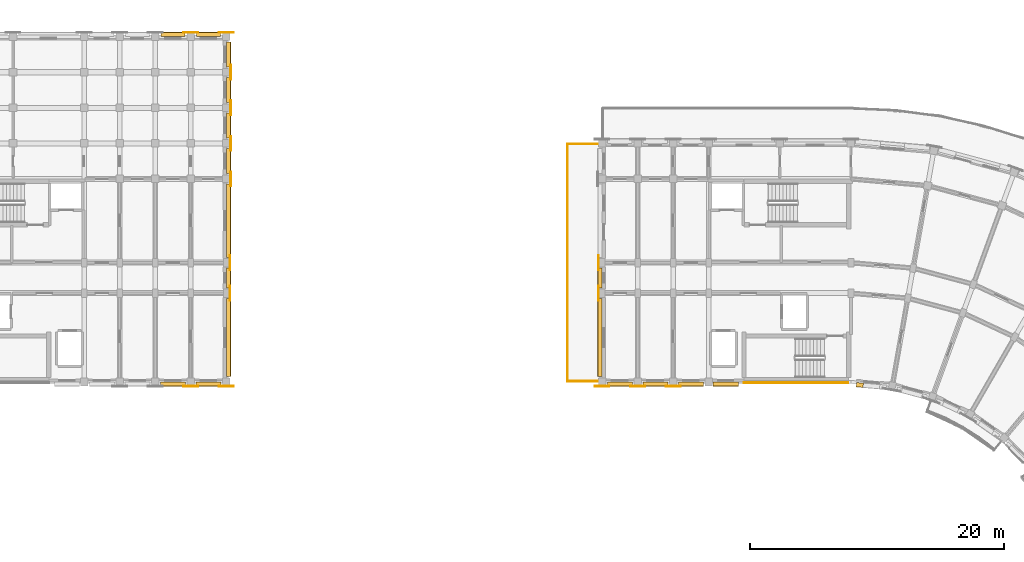
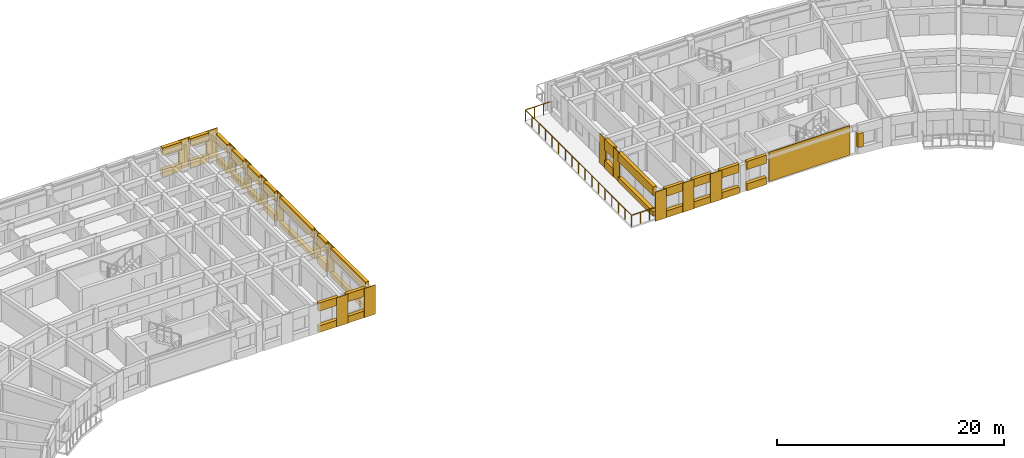
# One storey, part 31 of 36: 51 coverings, 1 railing.
"""IFC4 building model written with IfcOpenShell, lengths in metres."""

from ifc_helpers import new_model, si_unit, direction, frame, origin, origin_2d, place, context, subcontext, project, spatial, polyline, circle, outline, extrude, material, layer, layer_set, type_object, element, save


model = new_model("IFC4")

# Units and contexts
model_context = context("Model", 3, precision=1e-05, world=origin(), true_north=direction((0.0, 1.0)))
body_context = subcontext(model_context, "Body", "Model", "MODEL_VIEW")
ifc_project = project(units=[si_unit("LENGTHUNIT", "METRE"), si_unit("AREAUNIT", "SQUARE_METRE"), si_unit("VOLUMEUNIT", "CUBIC_METRE"), si_unit("PLANEANGLEUNIT", "RADIAN"), si_unit("MASSUNIT", "GRAM", prefix="KILO")], contexts=[model_context])

# Site, building, storey
site_placement = place(None, origin())
site = spatial("IfcSite", under=ifc_project, at=site_placement, CompositionType="ELEMENT")
building_placement = place(site_placement, origin())
building = spatial("IfcBuilding", under=site, at=building_placement, Name="Kiranvali Square Residences", CompositionType="ELEMENT")
storey_placement = place(building_placement, frame((0.0, 0.0, 37.050048828125)))
storey = spatial("IfcBuildingStorey", under=building, at=storey_placement, Name="L11", CompositionType="ELEMENT", Elevation=37.050048828125)

# Coverings
ifc_material_1 = material(Name="Honed Porbandar limestone ashlar facade cladding", Category="masonry")
ifc_layer_1 = layer(ifc_material_1, 0.3798828125)
ifc_layer_set_1 = layer_set([ifc_layer_1], Name="Honed Porbandar limestone ashlar facade cladding")
covering_type_1 = type_object("IfcCoveringType", Name="COV-CLAD-JAMB", PredefinedType="CLADDING", material=ifc_layer_set_1)
covering_1_placement = place(storey_placement, frame((0.0, 0.0, 0.721923828125)))
element("IfcCovering", 1, at=covering_1_placement, inside=storey, type_object=covering_type_1, Name="L11 deep limestone window jamb reveal B-L11-GDN-00.L", PredefinedType="CLADDING", context=body_context, shape_type="SweptSolid", body=[
    extrude(outline(polyline([(120.208740234375, 106.222900390625), (120.755126953125, 106.175048828125), (120.78466796875, 106.513427734375), (120.23828125, 106.56103515625), (120.208740234375, 106.222900390625)])), origin(), (0.0, 0.0, 1.0), 1.5),
])
ifc_layer_2 = layer(ifc_material_1, 0.06494140625)
ifc_layer_set_2 = layer_set([ifc_layer_2], Name="Honed Porbandar limestone ashlar facade cladding")
covering_type_2 = type_object("IfcCoveringType", Name="COV-CLAD-PIER", PredefinedType="CLADDING", material=ifc_layer_set_2)
covering_2_placement = place(storey_placement, frame((0.0, 0.0, 0.0048828125)))
element("IfcCovering", 2, at=covering_2_placement, inside=storey, type_object=covering_type_2, Name="Block B L11 garden stair limestone ashlar cladding", PredefinedType="CLADDING", context=body_context, shape_type="SweptSolid", body=[
    extrude(outline(polyline([(119.60009765625, 106.597900390625), (111.35009765625, 106.597900390625), (111.35009765625, 106.52001953125), (119.60009765625, 106.52001953125), (119.60009765625, 106.597900390625)])), origin(), (0.0, 0.0, 1.0), 3.14013671875),
])
ifc_layer_3 = layer(ifc_material_1, 0.050048828125)
ifc_layer_set_3 = layer_set([ifc_layer_3], Name="Honed Porbandar limestone ashlar facade cladding")
covering_type_3 = type_object("IfcCoveringType", Name="COV-CLAD-PIER-IN", PredefinedType="CLADDING", material=ifc_layer_set_3)
covering_3_placement = place(storey_placement, frame((0.0, 0.0, 0.0048828125)))
element("IfcCovering", 3, at=covering_3_placement, inside=storey, type_object=covering_type_3, Name="L11 Classical limestone pilaster casing CLAD-PRA1I-A-L11-U195", PredefinedType="CLADDING", context=body_context, shape_type="SweptSolid", body=[
    extrude(outline(polyline([(67.219970703125, 106.23193359375), (68.3798828125, 106.23193359375), (68.3798828125, 106.299560546875), (67.219970703125, 106.299560546875), (67.219970703125, 106.23193359375)])), origin(), (0.0, 0.0, 1.0), 3.14013671875),
])
covering_4_placement = place(storey_placement, frame((0.0, 0.0, 0.0048828125)))
element("IfcCovering", 4, at=covering_4_placement, inside=storey, type_object=covering_type_3, Name="L11 Classical limestone pilaster casing CLAD-PRA1I-A-L11-U224", PredefinedType="CLADDING", context=body_context, shape_type="SweptSolid", body=[
    extrude(outline(polyline([(70.02001953125, 106.23193359375), (71.179931640625, 106.23193359375), (71.179931640625, 106.299560546875), (70.02001953125, 106.299560546875), (70.02001953125, 106.23193359375)])), origin(), (0.0, 0.0, 1.0), 3.14013671875),
])
covering_5_placement = place(storey_placement, frame((0.0, 0.0, 0.0048828125)))
element("IfcCovering", 5, at=covering_5_placement, inside=storey, type_object=covering_type_3, Name="L11 Classical limestone pilaster casing CLAD-PRA1I-B-L11-U140", PredefinedType="CLADDING", context=body_context, shape_type="SweptSolid", body=[
    extrude(outline(polyline([(106.3798828125, 106.299560546875), (105.219970703125, 106.299560546875), (105.219970703125, 106.23193359375), (106.3798828125, 106.23193359375), (106.3798828125, 106.299560546875)])), origin(), (0.0, 0.0, 1.0), 3.14013671875),
])
covering_6_placement = place(storey_placement, frame((0.0, 0.0, 0.0048828125)))
element("IfcCovering", 6, at=covering_6_placement, inside=storey, type_object=covering_type_3, Name="L11 Classical limestone pilaster casing CLAD-PRA1I-B-L11-U167", PredefinedType="CLADDING", context=body_context, shape_type="SweptSolid", body=[
    extrude(outline(polyline([(103.580078125, 106.299560546875), (102.419921875, 106.299560546875), (102.419921875, 106.23193359375), (103.580078125, 106.23193359375), (103.580078125, 106.299560546875)])), origin(), (0.0, 0.0, 1.0), 3.14013671875),
])
covering_7_placement = place(storey_placement, frame((0.0, 0.0, 0.0048828125)))
element("IfcCovering", 7, at=covering_7_placement, inside=storey, type_object=covering_type_3, Name="L11 Classical limestone pilaster casing CLAD-PRA1I-B-L11-U195", PredefinedType="CLADDING", context=body_context, shape_type="SweptSolid", body=[
    extrude(outline(polyline([(100.780029296875, 106.299560546875), (99.6201171875, 106.299560546875), (99.6201171875, 106.23193359375), (100.780029296875, 106.23193359375), (100.780029296875, 106.299560546875)])), origin(), (0.0, 0.0, 1.0), 3.14013671875),
])
ifc_layer_4 = layer(ifc_material_1, 0.054931640625)
ifc_layer_set_4 = layer_set([ifc_layer_4], Name="Honed Porbandar limestone ashlar facade cladding")
covering_type_4 = type_object("IfcCoveringType", Name="COV-CLAD-PIER-UP", PredefinedType="CLADDING", material=ifc_layer_set_4)
covering_8_placement = place(storey_placement, frame((0.0, 0.0, 0.0048828125)))
element("IfcCovering", 8, at=covering_8_placement, inside=storey, type_object=covering_type_4, Name="L11 Classical limestone pilaster casing CLAD-PR-A-L11-U195", PredefinedType="CLADDING", context=body_context, shape_type="SweptSolid", body=[
    extrude(outline(polyline([(67.219970703125, 134.1005859375), (68.3798828125, 134.1005859375), (68.3798828125, 134.16796875), (67.219970703125, 134.16796875), (67.219970703125, 134.1005859375)])), origin(), (0.0, 0.0, 1.0), 3.14013671875),
])
covering_9_placement = place(storey_placement, frame((0.0, 0.0, 0.0048828125)))
element("IfcCovering", 9, at=covering_9_placement, inside=storey, type_object=covering_type_4, Name="L11 Classical limestone pilaster casing CLAD-PR-A-L11-U224", PredefinedType="CLADDING", context=body_context, shape_type="SweptSolid", body=[
    extrude(outline(polyline([(70.02001953125, 134.1005859375), (71.179931640625, 134.1005859375), (71.179931640625, 134.16796875), (70.02001953125, 134.16796875), (70.02001953125, 134.1005859375)])), origin(), (0.0, 0.0, 1.0), 3.14013671875),
])
covering_10_placement = place(storey_placement, frame((0.0, 0.0, 0.0048828125)))
element("IfcCovering", 10, at=covering_10_placement, inside=storey, type_object=covering_type_4, Name="L11 Classical limestone pilaster casing CLAD-PRA1E-A-L11-R258", PredefinedType="CLADDING", context=body_context, shape_type="SweptSolid", body=[
    extrude(outline(polyline([(70.91796875, 113.02001953125), (70.91796875, 114.179931640625), (70.8505859375, 114.179931640625), (70.8505859375, 113.02001953125), (70.91796875, 113.02001953125)])), origin(), (0.0, 0.0, 1.0), 3.14013671875),
])
covering_11_placement = place(storey_placement, frame((0.0, 0.0, 0.0048828125)))
element("IfcCovering", 11, at=covering_11_placement, inside=storey, type_object=covering_type_4, Name="L11 Classical limestone pilaster casing CLAD-PRA1E-A-L11-R282", PredefinedType="CLADDING", context=body_context, shape_type="SweptSolid", body=[
    extrude(outline(polyline([(70.91796875, 115.419921875), (70.91796875, 116.580078125), (70.8505859375, 116.580078125), (70.8505859375, 115.419921875), (70.91796875, 115.419921875)])), origin(), (0.0, 0.0, 1.0), 3.14013671875),
])
covering_12_placement = place(storey_placement, frame((0.0, 0.0, 0.0048828125)))
element("IfcCovering", 12, at=covering_12_placement, inside=storey, type_object=covering_type_4, Name="L11 Classical limestone pilaster casing CLAD-PRA1E-A-L11-R348", PredefinedType="CLADDING", context=body_context, shape_type="SweptSolid", body=[
    extrude(outline(polyline([(70.968017578125, 122.02001953125), (70.968017578125, 123.179931640625), (70.900390625, 123.179931640625), (70.900390625, 122.02001953125), (70.968017578125, 122.02001953125)])), origin(), (0.0, 0.0, 1.0), 3.14013671875),
])
covering_13_placement = place(storey_placement, frame((0.0, 0.0, 0.0048828125)))
element("IfcCovering", 13, at=covering_13_placement, inside=storey, type_object=covering_type_4, Name="L11 Classical limestone pilaster casing CLAD-PRA1E-A-L11-R376", PredefinedType="CLADDING", context=body_context, shape_type="SweptSolid", body=[
    extrude(outline(polyline([(70.968017578125, 124.820068359375), (70.968017578125, 125.97998046875), (70.900390625, 125.97998046875), (70.900390625, 124.820068359375), (70.968017578125, 124.820068359375)])), origin(), (0.0, 0.0, 1.0), 3.14013671875),
])
covering_14_placement = place(storey_placement, frame((0.0, 0.0, 0.0048828125)))
element("IfcCovering", 14, at=covering_14_placement, inside=storey, type_object=covering_type_4, Name="L11 Classical limestone pilaster casing CLAD-PRA1E-A-L11-R404", PredefinedType="CLADDING", context=body_context, shape_type="SweptSolid", body=[
    extrude(outline(polyline([(70.968017578125, 127.6201171875), (70.968017578125, 128.780029296875), (70.900390625, 128.780029296875), (70.900390625, 127.6201171875), (70.968017578125, 127.6201171875)])), origin(), (0.0, 0.0, 1.0), 3.14013671875),
])
covering_15_placement = place(storey_placement, frame((0.0, 0.0, 0.0048828125)))
element("IfcCovering", 15, at=covering_15_placement, inside=storey, type_object=covering_type_4, Name="L11 Classical limestone pilaster casing CLAD-PRA1E-A-L11-R432", PredefinedType="CLADDING", context=body_context, shape_type="SweptSolid", body=[
    extrude(outline(polyline([(70.968017578125, 130.419921875), (70.968017578125, 131.580078125), (70.900390625, 131.580078125), (70.900390625, 130.419921875), (70.968017578125, 130.419921875)])), origin(), (0.0, 0.0, 1.0), 3.14013671875),
])
covering_16_placement = place(storey_placement, frame((0.0, 0.0, 0.0048828125)))
element("IfcCovering", 16, at=covering_16_placement, inside=storey, type_object=covering_type_4, Name="L11 Classical limestone pilaster casing CLAD-PRA1E-B-L11-R258", PredefinedType="CLADDING", context=body_context, shape_type="SweptSolid", body=[
    extrude(outline(polyline([(99.949462890625, 113.02001953125), (99.949462890625, 114.179931640625), (99.882080078125, 114.179931640625), (99.882080078125, 113.02001953125), (99.949462890625, 113.02001953125)])), origin(), (0.0, 0.0, 1.0), 3.14013671875),
])
covering_17_placement = place(storey_placement, frame((0.0, 0.0, 0.0048828125)))
element("IfcCovering", 17, at=covering_17_placement, inside=storey, type_object=covering_type_4, Name="L11 Classical limestone pilaster casing CLAD-PRA1E-B-L11-R282", PredefinedType="CLADDING", context=body_context, shape_type="SweptSolid", body=[
    extrude(outline(polyline([(99.949462890625, 115.419921875), (99.949462890625, 116.580078125), (99.882080078125, 116.580078125), (99.882080078125, 115.419921875), (99.949462890625, 115.419921875)])), origin(), (0.0, 0.0, 1.0), 3.14013671875),
])
ifc_layer_5 = layer(ifc_material_1, 0.360107421875)
ifc_layer_set_5 = layer_set([ifc_layer_5], Name="Honed Porbandar limestone ashlar facade cladding")
covering_type_5 = type_object("IfcCoveringType", Name="COV-CLAD-WALL", PredefinedType="CLADDING", material=ifc_layer_set_5)
covering_18_placement = place(storey_placement, frame((0.0, 0.0, 2.280029296875)))
element("IfcCovering", 18, at=covering_18_placement, inside=storey, type_object=covering_type_5, Name="L11 light limestone spandrel lintel A-L11-A1O-4", PredefinedType="CLADDING", context=body_context, shape_type="SweptSolid", body=[
    extrude(outline(polyline([(65.43994140625, 133.800537109375), (67.360107421875, 133.800537109375), (67.360107421875, 134.14990234375), (65.43994140625, 134.14990234375), (65.43994140625, 133.800537109375)])), origin(), (0.0, 0.0, 1.0), 0.864990234375),
])
covering_19_placement = place(storey_placement, frame((0.0, 0.0, 2.280029296875)))
element("IfcCovering", 19, at=covering_19_placement, inside=storey, type_object=covering_type_5, Name="L11 light limestone spandrel lintel A-L11-A1O-5", PredefinedType="CLADDING", context=body_context, shape_type="SweptSolid", body=[
    extrude(outline(polyline([(68.239990234375, 133.800537109375), (70.159912109375, 133.800537109375), (70.159912109375, 134.14990234375), (68.239990234375, 134.14990234375), (68.239990234375, 133.800537109375)])), origin(), (0.0, 0.0, 1.0), 0.864990234375),
])
covering_20_placement = place(storey_placement, frame((0.0, 0.0, 2.27197265625)))
element("IfcCovering", 20, at=covering_20_placement, inside=storey, type_object=covering_type_5, Name="L11 light limestone spandrel lintel A-L11-A1I-2", PredefinedType="CLADDING", context=body_context, shape_type="SweptSolid", body=[
    extrude(outline(polyline([(65.419921875, 106.280029296875), (67.3798828125, 106.280029296875), (67.3798828125, 106.599609375), (65.419921875, 106.599609375), (65.419921875, 106.280029296875)])), origin(), (0.0, 0.0, 1.0), 0.873046875),
])
covering_21_placement = place(storey_placement, frame((0.0, 0.0, 2.27197265625)))
element("IfcCovering", 21, at=covering_21_placement, inside=storey, type_object=covering_type_5, Name="L11 light limestone spandrel lintel A-L11-A1I-3", PredefinedType="CLADDING", context=body_context, shape_type="SweptSolid", body=[
    extrude(outline(polyline([(68.219970703125, 106.280029296875), (70.179931640625, 106.280029296875), (70.179931640625, 106.599609375), (68.219970703125, 106.599609375), (68.219970703125, 106.280029296875)])), origin(), (0.0, 0.0, 1.0), 0.873046875),
])
covering_22_placement = place(storey_placement, frame((0.0, 0.0, 2.171875)))
element("IfcCovering", 22, at=covering_22_placement, inside=storey, type_object=covering_type_5, Name="L11 light limestone spandrel lintel A-L11-A1END-0", PredefinedType="CLADDING", context=body_context, shape_type="SweptSolid", body=[
    extrude(outline(polyline([(70.93994140625, 107.02001953125), (70.93994140625, 113.179931640625), (70.6005859375, 113.179931640625), (70.6005859375, 107.02001953125), (70.93994140625, 107.02001953125)])), origin(), (0.0, 0.0, 1.0), 0.97314453125),
])
covering_23_placement = place(storey_placement, frame((0.0, 0.0, 1.929931640625)))
element("IfcCovering", 23, at=covering_23_placement, inside=storey, type_object=covering_type_5, Name="L11 light limestone spandrel lintel A-L11-A1END-1", PredefinedType="CLADDING", context=body_context, shape_type="SweptSolid", body=[
    extrude(outline(polyline([(70.93994140625, 114.02001953125), (70.93994140625, 115.580078125), (70.6005859375, 115.580078125), (70.6005859375, 114.02001953125), (70.93994140625, 114.02001953125)])), origin(), (0.0, 0.0, 1.0), 1.215087890625),
])
covering_24_placement = place(storey_placement, frame((0.0, 0.0, 2.171875)))
element("IfcCovering", 24, at=covering_24_placement, inside=storey, type_object=covering_type_5, Name="L11 light limestone spandrel lintel A-L11-A1END-2", PredefinedType="CLADDING", context=body_context, shape_type="SweptSolid", body=[
    extrude(outline(polyline([(70.93994140625, 116.419921875), (70.93994140625, 122.179931640625), (70.6005859375, 122.179931640625), (70.6005859375, 116.419921875), (70.93994140625, 116.419921875)])), origin(), (0.0, 0.0, 1.0), 0.97314453125),
])
covering_25_placement = place(storey_placement, frame((0.0, 0.0, 2.171875)))
element("IfcCovering", 25, at=covering_25_placement, inside=storey, type_object=covering_type_5, Name="L11 light limestone spandrel lintel A-L11-A1END-3", PredefinedType="CLADDING", context=body_context, shape_type="SweptSolid", body=[
    extrude(outline(polyline([(70.93994140625, 123.02001953125), (70.93994140625, 124.97998046875), (70.6005859375, 124.97998046875), (70.6005859375, 123.02001953125), (70.93994140625, 123.02001953125)])), origin(), (0.0, 0.0, 1.0), 0.97314453125),
])
covering_26_placement = place(storey_placement, frame((0.0, 0.0, 2.171875)))
element("IfcCovering", 26, at=covering_26_placement, inside=storey, type_object=covering_type_5, Name="L11 light limestone spandrel lintel A-L11-A1END-4", PredefinedType="CLADDING", context=body_context, shape_type="SweptSolid", body=[
    extrude(outline(polyline([(70.93994140625, 125.820068359375), (70.93994140625, 127.780029296875), (70.6005859375, 127.780029296875), (70.6005859375, 125.820068359375), (70.93994140625, 125.820068359375)])), origin(), (0.0, 0.0, 1.0), 0.97314453125),
])
covering_27_placement = place(storey_placement, frame((0.0, 0.0, 2.171875)))
element("IfcCovering", 27, at=covering_27_placement, inside=storey, type_object=covering_type_5, Name="L11 light limestone spandrel lintel A-L11-A1END-5", PredefinedType="CLADDING", context=body_context, shape_type="SweptSolid", body=[
    extrude(outline(polyline([(70.93994140625, 128.6201171875), (70.93994140625, 130.580078125), (70.6005859375, 130.580078125), (70.6005859375, 128.6201171875), (70.93994140625, 128.6201171875)])), origin(), (0.0, 0.0, 1.0), 0.97314453125),
])
covering_28_placement = place(storey_placement, frame((0.0, 0.0, 2.2119140625)))
element("IfcCovering", 28, at=covering_28_placement, inside=storey, type_object=covering_type_5, Name="L11 light limestone spandrel lintel A-L11-A1END-6", PredefinedType="CLADDING", context=body_context, shape_type="SweptSolid", body=[
    extrude(outline(polyline([(70.93994140625, 131.419921875), (70.93994140625, 133.3798828125), (70.6005859375, 133.3798828125), (70.6005859375, 131.419921875), (70.93994140625, 131.419921875)])), origin(), (0.0, 0.0, 1.0), 0.93310546875),
])
covering_29_placement = place(storey_placement, frame((0.0, 0.0, 2.27197265625)))
element("IfcCovering", 29, at=covering_29_placement, inside=storey, type_object=covering_type_5, Name="L11 light limestone spandrel lintel B-L11-A1IN-0", PredefinedType="CLADDING", context=body_context, shape_type="SweptSolid", body=[
    extrude(outline(polyline([(110.949951171875, 106.599609375), (108.949951171875, 106.599609375), (108.949951171875, 106.280029296875), (110.949951171875, 106.280029296875), (110.949951171875, 106.599609375)])), origin(), (0.0, 0.0, 1.0), 0.873046875),
])
covering_30_placement = place(storey_placement, frame((0.0, 0.0, 2.27197265625)))
element("IfcCovering", 30, at=covering_30_placement, inside=storey, type_object=covering_type_5, Name="L11 light limestone spandrel lintel B-L11-A1I-0", PredefinedType="CLADDING", context=body_context, shape_type="SweptSolid", body=[
    extrude(outline(polyline([(108.179931640625, 106.599609375), (106.219970703125, 106.599609375), (106.219970703125, 106.280029296875), (108.179931640625, 106.280029296875), (108.179931640625, 106.599609375)])), origin(), (0.0, 0.0, 1.0), 0.873046875),
])
covering_31_placement = place(storey_placement, frame((0.0, 0.0, 2.27197265625)))
element("IfcCovering", 31, at=covering_31_placement, inside=storey, type_object=covering_type_5, Name="L11 light limestone spandrel lintel B-L11-A1I-1", PredefinedType="CLADDING", context=body_context, shape_type="SweptSolid", body=[
    extrude(outline(polyline([(105.3798828125, 106.599609375), (103.419921875, 106.599609375), (103.419921875, 106.280029296875), (105.3798828125, 106.280029296875), (105.3798828125, 106.599609375)])), origin(), (0.0, 0.0, 1.0), 0.873046875),
])
covering_32_placement = place(storey_placement, frame((0.0, 0.0, 2.27197265625)))
element("IfcCovering", 32, at=covering_32_placement, inside=storey, type_object=covering_type_5, Name="L11 light limestone spandrel lintel B-L11-A1I-2", PredefinedType="CLADDING", context=body_context, shape_type="SweptSolid", body=[
    extrude(outline(polyline([(102.580078125, 106.599609375), (100.6201171875, 106.599609375), (100.6201171875, 106.280029296875), (102.580078125, 106.280029296875), (102.580078125, 106.599609375)])), origin(), (0.0, 0.0, 1.0), 0.873046875),
])
covering_33_placement = place(storey_placement, frame((0.0, 0.0, 2.171875)))
element("IfcCovering", 33, at=covering_33_placement, inside=storey, type_object=covering_type_5, Name="L11 light limestone spandrel lintel B-L11-A1END-0", PredefinedType="CLADDING", context=body_context, shape_type="SweptSolid", body=[
    extrude(outline(polyline([(100.199462890625, 107.02001953125), (100.199462890625, 113.179931640625), (99.860107421875, 113.179931640625), (99.860107421875, 107.02001953125), (100.199462890625, 107.02001953125)])), origin(), (0.0, 0.0, 1.0), 0.97314453125),
])
covering_34_placement = place(storey_placement, frame((0.0, 0.0, 1.929931640625)))
element("IfcCovering", 34, at=covering_34_placement, inside=storey, type_object=covering_type_5, Name="L11 light limestone spandrel lintel B-L11-A1END-1", PredefinedType="CLADDING", context=body_context, shape_type="SweptSolid", body=[
    extrude(outline(polyline([(100.199462890625, 114.02001953125), (100.199462890625, 115.580078125), (99.860107421875, 115.580078125), (99.860107421875, 114.02001953125), (100.199462890625, 114.02001953125)])), origin(), (0.0, 0.0, 1.0), 1.215087890625),
])
ifc_layer_6 = layer(ifc_material_1, 0.320068359375)
ifc_layer_set_6 = layer_set([ifc_layer_6], Name="Honed Porbandar limestone ashlar facade cladding")
covering_type_6 = type_object("IfcCoveringType", Name="COV-CLAD-WALL-UP", PredefinedType="CLADDING", material=ifc_layer_set_6)
covering_35_placement = place(storey_placement, frame((0.0, 0.0, 0.0048828125)))
element("IfcCovering", 35, at=covering_35_placement, inside=storey, type_object=covering_type_6, Name="L11 limestone window sill apron A-L11-A1O-4", PredefinedType="CLADDING", context=body_context, shape_type="SweptSolid", body=[
    extrude(outline(polyline([(65.43994140625, 133.800537109375), (67.360107421875, 133.800537109375), (67.360107421875, 134.179931640625), (65.43994140625, 134.179931640625), (65.43994140625, 133.800537109375)])), origin(), (0.0, 0.0, 1.0), 0.775146484375),
])
covering_36_placement = place(storey_placement, frame((0.0, 0.0, 0.0048828125)))
element("IfcCovering", 36, at=covering_36_placement, inside=storey, type_object=covering_type_6, Name="L11 limestone window sill apron A-L11-A1O-5", PredefinedType="CLADDING", context=body_context, shape_type="SweptSolid", body=[
    extrude(outline(polyline([(68.239990234375, 133.800537109375), (70.159912109375, 133.800537109375), (70.159912109375, 134.179931640625), (68.239990234375, 134.179931640625), (68.239990234375, 133.800537109375)])), origin(), (0.0, 0.0, 1.0), 0.775146484375),
])
covering_37_placement = place(storey_placement, frame((0.0, 0.0, 0.0048828125)))
element("IfcCovering", 37, at=covering_37_placement, inside=storey, type_object=covering_type_6, Name="L11 limestone window sill apron A-L11-A1I-2", PredefinedType="CLADDING", context=body_context, shape_type="SweptSolid", body=[
    extrude(outline(polyline([(65.419921875, 106.25), (67.3798828125, 106.25), (67.3798828125, 106.599609375), (65.419921875, 106.599609375), (65.419921875, 106.25)])), origin(), (0.0, 0.0, 1.0), 0.717041015625),
])
covering_38_placement = place(storey_placement, frame((0.0, 0.0, 0.0048828125)))
element("IfcCovering", 38, at=covering_38_placement, inside=storey, type_object=covering_type_6, Name="L11 limestone window sill apron A-L11-A1I-3", PredefinedType="CLADDING", context=body_context, shape_type="SweptSolid", body=[
    extrude(outline(polyline([(68.219970703125, 106.25), (70.179931640625, 106.25), (70.179931640625, 106.599609375), (68.219970703125, 106.599609375), (68.219970703125, 106.25)])), origin(), (0.0, 0.0, 1.0), 0.717041015625),
])
covering_39_placement = place(storey_placement, frame((0.0, 0.0, 0.0048828125)))
element("IfcCovering", 39, at=covering_39_placement, inside=storey, type_object=covering_type_6, Name="L11 limestone window sill apron A-L11-A1END-0", PredefinedType="CLADDING", context=body_context, shape_type="SweptSolid", body=[
    extrude(outline(polyline([(70.969970703125, 107.02001953125), (70.969970703125, 113.179931640625), (70.6005859375, 113.179931640625), (70.6005859375, 107.02001953125), (70.969970703125, 107.02001953125)])), origin(), (0.0, 0.0, 1.0), 0.51708984375),
])
covering_40_placement = place(storey_placement, frame((0.0, 0.0, 0.0048828125)))
element("IfcCovering", 40, at=covering_40_placement, inside=storey, type_object=covering_type_6, Name="L11 limestone window sill apron A-L11-A1END-1", PredefinedType="CLADDING", context=body_context, shape_type="SweptSolid", body=[
    extrude(outline(polyline([(70.969970703125, 114.02001953125), (70.969970703125, 115.580078125), (70.6005859375, 115.580078125), (70.6005859375, 114.02001953125), (70.969970703125, 114.02001953125)])), origin(), (0.0, 0.0, 1.0), 0.875),
])
covering_41_placement = place(storey_placement, frame((0.0, 0.0, 0.0048828125)))
element("IfcCovering", 41, at=covering_41_placement, inside=storey, type_object=covering_type_6, Name="L11 limestone window sill apron A-L11-A1END-2", PredefinedType="CLADDING", context=body_context, shape_type="SweptSolid", body=[
    extrude(outline(polyline([(70.969970703125, 116.419921875), (70.969970703125, 122.179931640625), (70.6005859375, 122.179931640625), (70.6005859375, 116.419921875), (70.969970703125, 116.419921875)])), origin(), (0.0, 0.0, 1.0), 0.51708984375),
])
covering_42_placement = place(storey_placement, frame((0.0, 0.0, 0.0048828125)))
element("IfcCovering", 42, at=covering_42_placement, inside=storey, type_object=covering_type_6, Name="L11 limestone window sill apron A-L11-A1END-3", PredefinedType="CLADDING", context=body_context, shape_type="SweptSolid", body=[
    extrude(outline(polyline([(70.969970703125, 123.02001953125), (70.969970703125, 124.97998046875), (70.6005859375, 124.97998046875), (70.6005859375, 123.02001953125), (70.969970703125, 123.02001953125)])), origin(), (0.0, 0.0, 1.0), 0.6669921875),
])
covering_43_placement = place(storey_placement, frame((0.0, 0.0, 0.0048828125)))
element("IfcCovering", 43, at=covering_43_placement, inside=storey, type_object=covering_type_6, Name="L11 limestone window sill apron A-L11-A1END-4", PredefinedType="CLADDING", context=body_context, shape_type="SweptSolid", body=[
    extrude(outline(polyline([(70.969970703125, 125.820068359375), (70.969970703125, 127.780029296875), (70.6005859375, 127.780029296875), (70.6005859375, 125.820068359375), (70.969970703125, 125.820068359375)])), origin(), (0.0, 0.0, 1.0), 0.6669921875),
])
covering_44_placement = place(storey_placement, frame((0.0, 0.0, 0.0048828125)))
element("IfcCovering", 44, at=covering_44_placement, inside=storey, type_object=covering_type_6, Name="L11 limestone window sill apron A-L11-A1END-5", PredefinedType="CLADDING", context=body_context, shape_type="SweptSolid", body=[
    extrude(outline(polyline([(70.969970703125, 128.6201171875), (70.969970703125, 130.580078125), (70.6005859375, 130.580078125), (70.6005859375, 128.6201171875), (70.969970703125, 128.6201171875)])), origin(), (0.0, 0.0, 1.0), 0.6669921875),
])
covering_45_placement = place(storey_placement, frame((0.0, 0.0, 0.0048828125)))
element("IfcCovering", 45, at=covering_45_placement, inside=storey, type_object=covering_type_6, Name="L11 limestone window sill apron A-L11-A1END-6", PredefinedType="CLADDING", context=body_context, shape_type="SweptSolid", body=[
    extrude(outline(polyline([(70.969970703125, 131.419921875), (70.969970703125, 133.3798828125), (70.6005859375, 133.3798828125), (70.6005859375, 131.419921875), (70.969970703125, 131.419921875)])), origin(), (0.0, 0.0, 1.0), 0.70703125),
])
covering_46_placement = place(storey_placement, frame((0.0, 0.0, 0.0048828125)))
element("IfcCovering", 46, at=covering_46_placement, inside=storey, type_object=covering_type_6, Name="L11 limestone window sill apron B-L11-A1IN-0", PredefinedType="CLADDING", context=body_context, shape_type="SweptSolid", body=[
    extrude(outline(polyline([(110.949951171875, 106.599609375), (108.949951171875, 106.599609375), (108.949951171875, 106.25), (110.949951171875, 106.25), (110.949951171875, 106.599609375)])), origin(), (0.0, 0.0, 1.0), 0.76708984375),
])
covering_47_placement = place(storey_placement, frame((0.0, 0.0, 0.0048828125)))
element("IfcCovering", 47, at=covering_47_placement, inside=storey, type_object=covering_type_6, Name="L11 limestone window sill apron B-L11-A1I-0", PredefinedType="CLADDING", context=body_context, shape_type="SweptSolid", body=[
    extrude(outline(polyline([(108.179931640625, 106.599609375), (106.219970703125, 106.599609375), (106.219970703125, 106.25), (108.179931640625, 106.25), (108.179931640625, 106.599609375)])), origin(), (0.0, 0.0, 1.0), 0.717041015625),
])
covering_48_placement = place(storey_placement, frame((0.0, 0.0, 0.0048828125)))
element("IfcCovering", 48, at=covering_48_placement, inside=storey, type_object=covering_type_6, Name="L11 limestone window sill apron B-L11-A1I-1", PredefinedType="CLADDING", context=body_context, shape_type="SweptSolid", body=[
    extrude(outline(polyline([(105.3798828125, 106.599609375), (103.419921875, 106.599609375), (103.419921875, 106.25), (105.3798828125, 106.25), (105.3798828125, 106.599609375)])), origin(), (0.0, 0.0, 1.0), 0.717041015625),
])
covering_49_placement = place(storey_placement, frame((0.0, 0.0, 0.0048828125)))
element("IfcCovering", 49, at=covering_49_placement, inside=storey, type_object=covering_type_6, Name="L11 limestone window sill apron B-L11-A1I-2", PredefinedType="CLADDING", context=body_context, shape_type="SweptSolid", body=[
    extrude(outline(polyline([(102.580078125, 106.599609375), (100.6201171875, 106.599609375), (100.6201171875, 106.25), (102.580078125, 106.25), (102.580078125, 106.599609375)])), origin(), (0.0, 0.0, 1.0), 0.717041015625),
])
covering_50_placement = place(storey_placement, frame((0.0, 0.0, 0.0048828125)))
element("IfcCovering", 50, at=covering_50_placement, inside=storey, type_object=covering_type_6, Name="L11 limestone window sill apron B-L11-A1END-0", PredefinedType="CLADDING", context=body_context, shape_type="SweptSolid", body=[
    extrude(outline(polyline([(100.199462890625, 107.02001953125), (100.199462890625, 113.179931640625), (99.830078125, 113.179931640625), (99.830078125, 107.02001953125), (100.199462890625, 107.02001953125)])), origin(), (0.0, 0.0, 1.0), 0.51708984375),
])
covering_51_placement = place(storey_placement, frame((0.0, 0.0, 0.0048828125)))
element("IfcCovering", 51, at=covering_51_placement, inside=storey, type_object=covering_type_6, Name="L11 limestone window sill apron B-L11-A1END-1", PredefinedType="CLADDING", context=body_context, shape_type="SweptSolid", body=[
    extrude(outline(polyline([(100.199462890625, 114.02001953125), (100.199462890625, 115.580078125), (99.830078125, 115.580078125), (99.830078125, 114.02001953125), (100.199462890625, 114.02001953125)])), origin(), (0.0, 0.0, 1.0), 0.875),
])

# Railing
ifc_material_2 = material(Name="Powder-coated architectural bronze balustrade", Category="steel")
railing_type = type_object("IfcRailingType", Name="RL-TER-GOLD-1200", PredefinedType="BALUSTRADE", material=ifc_material_2)
railing_placement = place(storey_placement, frame((100.159912109375, 106.659912109375, 0.0)))
element("IfcRailing", 52, at=railing_placement, inside=storey, type_object=railing_type, Name="Block B L11 wing-end terrace balustrade", PredefinedType="BALUSTRADE", context=body_context, shape_type="SweptSolid", body=[
    extrude(circle(Radius=0.02392578125, at=origin_2d()), frame((0.0, 0.0, 1.17578125), z_axis=(-1.0, 0.0, 0.0), x_axis=(0.0, -1.0, 0.0)), (0.0, 0.0, 1.0), 2.699951171875),
    extrude(circle(Radius=0.02392578125, at=origin_2d()), frame((-2.699951171875, 0.0, 1.17578125), z_axis=(0.0, 1.0, 0.0), x_axis=(-1.0, 0.0, 0.0)), (0.0, 0.0, 1.0), 18.68017578125),
    extrude(circle(Radius=0.02392578125, at=origin_2d()), frame((-2.699951171875, 18.68017578125, 1.17578125), z_axis=(1.0, 0.0, 0.0), x_axis=(0.0, 1.0, 0.0)), (0.0, 0.0, 1.0), 2.699951171875),
    extrude(circle(Radius=0.02099609375, at=origin_2d()), origin(), (0.0, 0.0, 1.0), 1.15185546875),
    extrude(circle(Radius=0.02099609375, at=origin_2d()), frame((-0.89990234375, 0.0, 0.0)), (0.0, 0.0, 1.0), 1.15185546875),
    extrude(circle(Radius=0.02099609375, at=origin_2d()), frame((-1.800048828125, 0.0, 0.0)), (0.0, 0.0, 1.0), 1.15185546875),
    extrude(circle(Radius=0.02099609375, at=origin_2d()), frame((-2.699951171875, 0.0, 0.0)), (0.0, 0.0, 1.0), 1.15185546875),
    extrude(circle(Radius=0.02099609375, at=origin_2d()), frame((-2.699951171875, 1.16748046875, 0.0)), (0.0, 0.0, 1.0), 1.15185546875),
    extrude(circle(Radius=0.02099609375, at=origin_2d()), frame((-2.699951171875, 2.3349609375, 0.0)), (0.0, 0.0, 1.0), 1.15185546875),
    extrude(circle(Radius=0.02099609375, at=origin_2d()), frame((-2.699951171875, 3.50244140625, 0.0)), (0.0, 0.0, 1.0), 1.15185546875),
    extrude(circle(Radius=0.02099609375, at=origin_2d()), frame((-2.699951171875, 4.669921875, 0.0)), (0.0, 0.0, 1.0), 1.15185546875),
    extrude(circle(Radius=0.02099609375, at=origin_2d()), frame((-2.699951171875, 5.837646484375, 0.0)), (0.0, 0.0, 1.0), 1.15185546875),
    extrude(circle(Radius=0.02099609375, at=origin_2d()), frame((-2.699951171875, 7.005126953125, 0.0)), (0.0, 0.0, 1.0), 1.15185546875),
    extrude(circle(Radius=0.02099609375, at=origin_2d()), frame((-2.699951171875, 8.172607421875, 0.0)), (0.0, 0.0, 1.0), 1.15185546875),
    extrude(circle(Radius=0.02099609375, at=origin_2d()), frame((-2.699951171875, 9.340087890625, 0.0)), (0.0, 0.0, 1.0), 1.15185546875),
    extrude(circle(Radius=0.02099609375, at=origin_2d()), frame((-2.699951171875, 10.507568359375, 0.0)), (0.0, 0.0, 1.0), 1.15185546875),
    extrude(circle(Radius=0.02099609375, at=origin_2d()), frame((-2.699951171875, 11.675048828125, 0.0)), (0.0, 0.0, 1.0), 1.15185546875),
    extrude(circle(Radius=0.02099609375, at=origin_2d()), frame((-2.699951171875, 12.842529296875, 0.0)), (0.0, 0.0, 1.0), 1.15185546875),
    extrude(circle(Radius=0.02099609375, at=origin_2d()), frame((-2.699951171875, 14.01025390625, 0.0)), (0.0, 0.0, 1.0), 1.15185546875),
    extrude(circle(Radius=0.02099609375, at=origin_2d()), frame((-2.699951171875, 15.177734375, 0.0)), (0.0, 0.0, 1.0), 1.15185546875),
    extrude(circle(Radius=0.02099609375, at=origin_2d()), frame((-2.699951171875, 16.34521484375, 0.0)), (0.0, 0.0, 1.0), 1.15185546875),
    extrude(circle(Radius=0.02099609375, at=origin_2d()), frame((-2.699951171875, 17.5126953125, 0.0)), (0.0, 0.0, 1.0), 1.15185546875),
    extrude(circle(Radius=0.02099609375, at=origin_2d()), frame((-2.699951171875, 18.68017578125, 0.0)), (0.0, 0.0, 1.0), 1.15185546875),
    extrude(circle(Radius=0.02099609375, at=origin_2d()), frame((-1.800048828125, 18.68017578125, 0.0)), (0.0, 0.0, 1.0), 1.15185546875),
    extrude(circle(Radius=0.02099609375, at=origin_2d()), frame((-0.89990234375, 18.68017578125, 0.0)), (0.0, 0.0, 1.0), 1.15185546875),
    extrude(circle(Radius=0.02099609375, at=origin_2d()), frame((0.0, 18.68017578125, 0.0)), (0.0, 0.0, 1.0), 1.15185546875),
])

save(model, "model.ifc")
